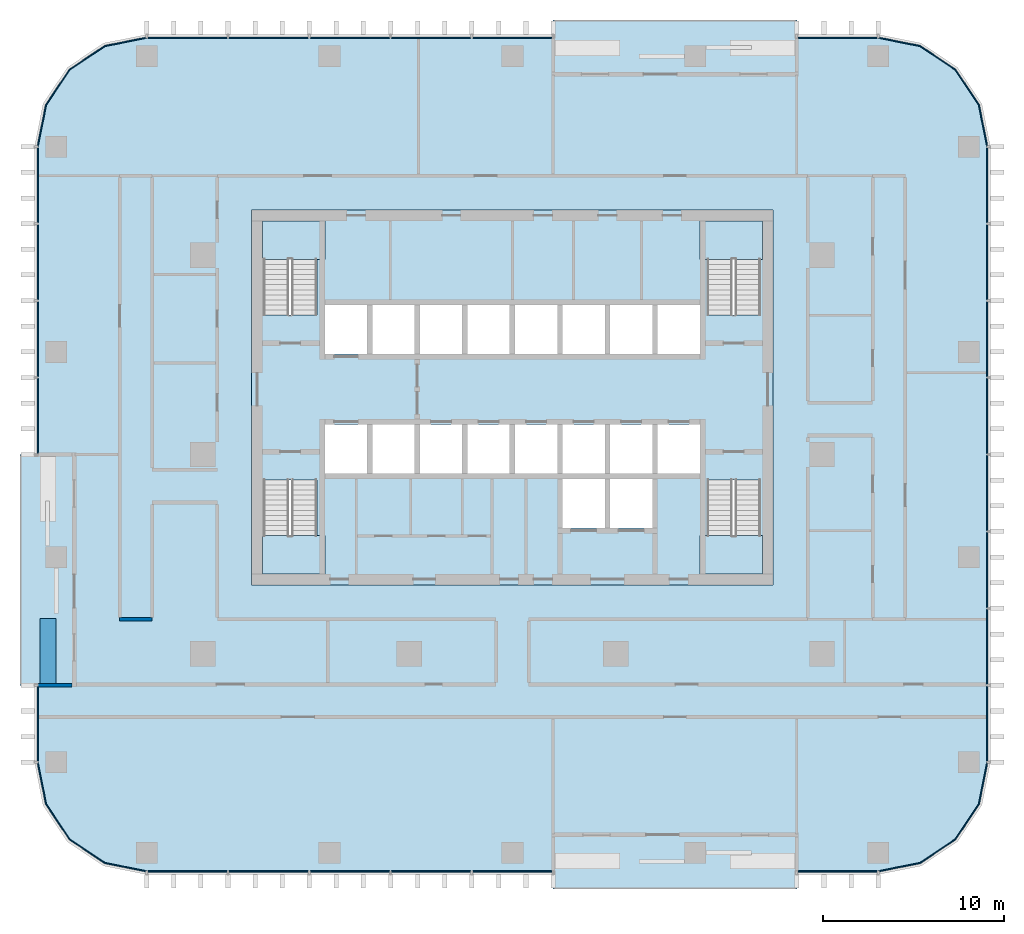
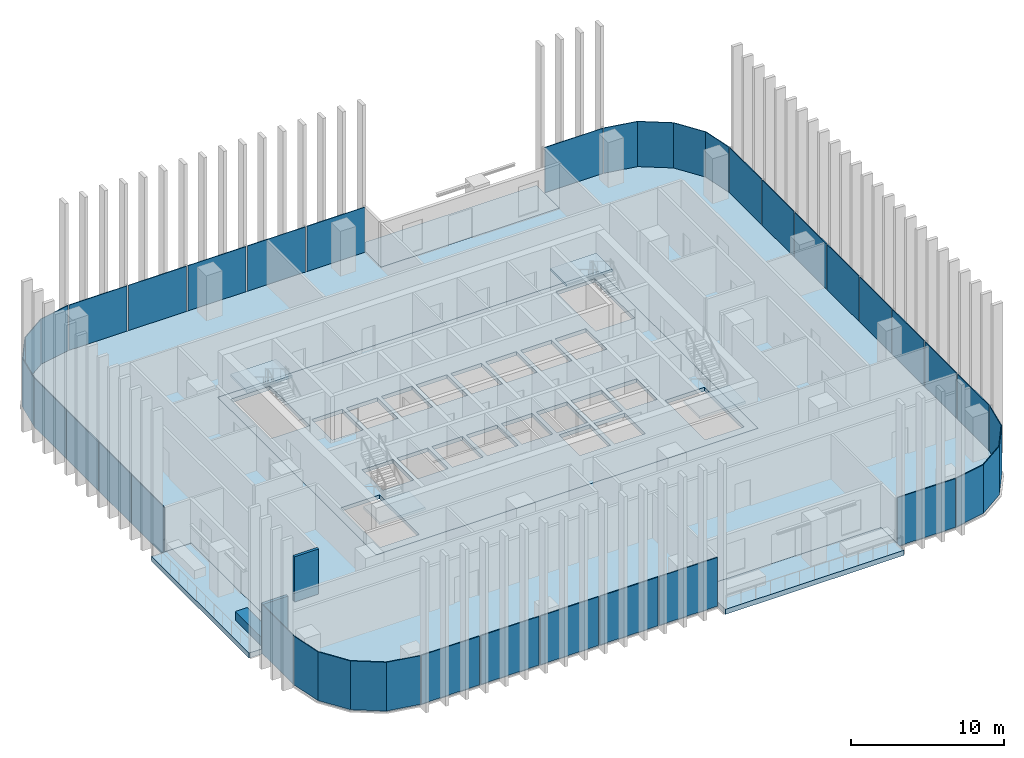
# One storey, part 6 of 16: 29 plates, 9 slabs, 3 walls, 15 elements without a shape of their own.
"""IFC4 building model written with IfcOpenShell, lengths in metres."""

from ifc_helpers import new_model, si_unit, direction, frame, frame_2d, origin, origin_2d, place, context, subcontext, project, spatial, polyline, rectangle, outline, extrude, material, layer, layer_set, type_object, element, aggregate, save


model = new_model("IFC4")

# Units and contexts
model_context = context("Model", 3, precision=1e-05, world=origin(), true_north=direction((0.0, 1.0)))
body_context = subcontext(model_context, "Body", "Model", "MODEL_VIEW")
ifc_project = project(units=[si_unit("LENGTHUNIT", "METRE"), si_unit("AREAUNIT", "SQUARE_METRE"), si_unit("VOLUMEUNIT", "CUBIC_METRE"), si_unit("PLANEANGLEUNIT", "RADIAN"), si_unit("MASSUNIT", "GRAM", prefix="KILO")], contexts=[model_context])

# Site, building, storey
site_placement = place(None, origin())
site = spatial("IfcSite", under=ifc_project, at=site_placement, CompositionType="ELEMENT")
building_placement = place(site_placement, origin())
building = spatial("IfcBuilding", under=site, at=building_placement, Name="Mopane Tessera Tower", CompositionType="ELEMENT")
storey_placement = place(building_placement, frame((0.0, 0.0, 181.0)))
storey = spatial("IfcBuildingStorey", under=building, at=storey_placement, Name="L37", CompositionType="ELEMENT", Elevation=181.0)

# Slab
ifc_material_1 = material(Name="Concrete C40/50", Category="concrete")
ifc_layer_1 = layer(ifc_material_1, 0.300048828125)
ifc_layer_set_1 = layer_set([ifc_layer_1], Name="Concrete C40/50")
slab_type_1 = type_object("IfcSlabType", Name="Core floor slab 300 mm", PredefinedType="FLOOR", material=ifc_layer_set_1)
slab_1_placement = place(storey_placement, frame((0.0, 0.0, -0.300048828125)))
element("IfcSlab", 1, at=slab_1_placement, inside=storey, type_object=slab_type_1, Name="L37 core floor slab", PredefinedType="FLOOR", context=body_context, shape_type="SweptSolid", body=[
    extrude(outline(polyline([(-14.39990234375, -7.199951171875), (14.39990234375, -7.199951171875), (14.39990234375, 13.5), (-14.39990234375, 13.5), (-14.39990234375, -7.199951171875)]), holes=[polyline([(-10.35009765625, -1.050048828125), (-8.02490234375, -1.050048828125), (-8.02490234375, 1.64990234375), (-10.35009765625, 1.64990234375), (-10.35009765625, -1.050048828125)]), polyline([(-7.72509765625, -1.050048828125), (-5.39990234375, -1.050048828125), (-5.39990234375, 1.64990234375), (-7.72509765625, 1.64990234375), (-7.72509765625, -1.050048828125)]), polyline([(-5.10009765625, -1.050048828125), (-2.77490234375, -1.050048828125), (-2.77490234375, 1.64990234375), (-5.10009765625, 1.64990234375), (-5.10009765625, -1.050048828125)]), polyline([(-2.47509765625, -1.050048828125), (-0.14990234375, -1.050048828125), (-0.14990234375, 1.64990234375), (-2.47509765625, 1.64990234375), (-2.47509765625, -1.050048828125)]), polyline([(0.14990234375, -1.050048828125), (2.47509765625, -1.050048828125), (2.47509765625, 1.64990234375), (0.14990234375, 1.64990234375), (0.14990234375, -1.050048828125)]), polyline([(2.77490234375, -1.050048828125), (5.10009765625, -1.050048828125), (5.10009765625, 1.64990234375), (2.77490234375, 1.64990234375), (2.77490234375, -1.050048828125)]), polyline([(5.39990234375, -1.050048828125), (7.72509765625, -1.050048828125), (7.72509765625, 1.64990234375), (5.39990234375, 1.64990234375), (5.39990234375, -1.050048828125)]), polyline([(8.02490234375, -1.050048828125), (10.35009765625, -1.050048828125), (10.35009765625, 1.64990234375), (8.02490234375, 1.64990234375), (8.02490234375, -1.050048828125)]), polyline([(-10.35009765625, 5.550048828125), (-8.02490234375, 5.550048828125), (-8.02490234375, 8.25), (-10.35009765625, 8.25), (-10.35009765625, 5.550048828125)]), polyline([(-7.72509765625, 5.550048828125), (-5.39990234375, 5.550048828125), (-5.39990234375, 8.25), (-7.72509765625, 8.25), (-7.72509765625, 5.550048828125)]), polyline([(-5.10009765625, 5.550048828125), (-2.77490234375, 5.550048828125), (-2.77490234375, 8.25), (-5.10009765625, 8.25), (-5.10009765625, 5.550048828125)]), polyline([(-2.47509765625, 5.550048828125), (-0.14990234375, 5.550048828125), (-0.14990234375, 8.25), (-2.47509765625, 8.25), (-2.47509765625, 5.550048828125)]), polyline([(0.14990234375, 5.550048828125), (2.47509765625, 5.550048828125), (2.47509765625, 8.25), (0.14990234375, 8.25), (0.14990234375, 5.550048828125)]), polyline([(2.77490234375, 5.550048828125), (5.10009765625, 5.550048828125), (5.10009765625, 8.25), (2.77490234375, 8.25), (2.77490234375, 5.550048828125)]), polyline([(5.39990234375, 5.550048828125), (7.72509765625, 5.550048828125), (7.72509765625, 8.25), (5.39990234375, 8.25), (5.39990234375, 5.550048828125)]), polyline([(8.02490234375, 5.550048828125), (10.35009765625, 5.550048828125), (10.35009765625, 8.25), (8.02490234375, 8.25), (8.02490234375, 5.550048828125)]), polyline([(2.77490234375, -4.050048828125), (5.10009765625, -4.050048828125), (5.10009765625, -1.35009765625), (2.77490234375, -1.35009765625), (2.77490234375, -4.050048828125)]), polyline([(5.39990234375, -4.050048828125), (7.72509765625, -4.050048828125), (7.72509765625, -1.35009765625), (5.39990234375, -1.35009765625), (5.39990234375, -4.050048828125)]), polyline([(-13.75, -1.405029296875), (-13.75, -6.60009765625), (-10.800048828125, -6.60009765625), (-10.800048828125, -1.405029296875), (-13.75, -1.405029296875)]), polyline([(-10.800048828125, 7.705078125), (-10.800048828125, 12.89990234375), (-13.75, 12.89990234375), (-13.75, 7.705078125), (-10.800048828125, 7.705078125)]), polyline([(10.75, -1.405029296875), (10.75, -6.60009765625), (13.699951171875, -6.60009765625), (13.699951171875, -1.405029296875), (10.75, -1.405029296875)]), polyline([(13.699951171875, 7.705078125), (13.699951171875, 12.89990234375), (10.75, 12.89990234375), (10.75, 7.705078125), (13.699951171875, 7.705078125)])]), origin(), (0.0, 0.0, 1.0), 0.300048828125),
])

# Stair, slab
ifc_material_2 = material(Name="Concrete C50/60", Category="concrete")
stair_type = type_object("IfcStairType", Name="Escape stair 1400 mm, riser 167 mm", PredefinedType="HALF_TURN_STAIR", material=ifc_material_2)
stair_1_placement = place(storey_placement, origin())
stair_1 = element("IfcStair", 2, at=stair_1_placement, inside=storey, type_object=stair_type, Name="L37 Escape stair south-west", PredefinedType="HALF_TURN_STAIR")
ifc_material_3 = material(Name="Concrete C50/60", Category="concrete")
ifc_layer_2 = layer(ifc_material_3, 0.199951171875)
ifc_layer_set_2 = layer_set([ifc_layer_2], Name="Concrete C50/60")
slab_type_2 = type_object("IfcSlabType", Name="Escape stair landing 200 mm", PredefinedType="LANDING", material=ifc_layer_set_2)
slab_2_placement = place(storey_placement, frame((0.0, 0.0, 1.800048828125)))
slab_2 = element("IfcSlab", 3, at=slab_2_placement, type_object=slab_type_2, Name="ST1 landing 1", PredefinedType="LANDING", context=body_context, shape_type="SweptSolid", body=[
    extrude(outline(polyline([(-13.800048828125, -4.47998046875), (-13.800048828125, -6.60009765625), (-10.35009765625, -6.60009765625), (-10.35009765625, -4.47998046875), (-13.800048828125, -4.47998046875)])), origin(), (0.0, 0.0, 1.0), 0.199951171875),
])
aggregate(stair_1, [slab_2])

stair_2_placement = place(storey_placement, origin())
stair_2 = element("IfcStair", 4, at=stair_2_placement, inside=storey, type_object=stair_type, Name="L37 Escape stair north-west", PredefinedType="HALF_TURN_STAIR")
slab_3_placement = place(storey_placement, frame((0.0, 0.0, 1.800048828125)))
slab_3 = element("IfcSlab", 5, at=slab_3_placement, type_object=slab_type_2, Name="ST2 landing 1", PredefinedType="LANDING", context=body_context, shape_type="SweptSolid", body=[
    extrude(outline(polyline([(-10.35009765625, 10.780029296875), (-10.35009765625, 12.89990234375), (-13.800048828125, 12.89990234375), (-13.800048828125, 10.780029296875), (-10.35009765625, 10.780029296875)])), origin(), (0.0, 0.0, 1.0), 0.199951171875),
])
aggregate(stair_2, [slab_3])

stair_3_placement = place(storey_placement, origin())
stair_3 = element("IfcStair", 6, at=stair_3_placement, inside=storey, type_object=stair_type, Name="L37 Escape stair south-east", PredefinedType="HALF_TURN_STAIR")
slab_4_placement = place(storey_placement, frame((0.0, 0.0, 1.800048828125)))
slab_4 = element("IfcSlab", 7, at=slab_4_placement, type_object=slab_type_2, Name="ST3 landing 1", PredefinedType="LANDING", context=body_context, shape_type="SweptSolid", body=[
    extrude(outline(polyline([(10.35009765625, -4.47998046875), (10.35009765625, -6.60009765625), (13.800048828125, -6.60009765625), (13.800048828125, -4.47998046875), (10.35009765625, -4.47998046875)])), origin(), (0.0, 0.0, 1.0), 0.199951171875),
])
aggregate(stair_3, [slab_4])

stair_4_placement = place(storey_placement, origin())
stair_4 = element("IfcStair", 8, at=stair_4_placement, inside=storey, type_object=stair_type, Name="L37 Escape stair north-east", PredefinedType="HALF_TURN_STAIR")
slab_5_placement = place(storey_placement, frame((0.0, 0.0, 1.800048828125)))
slab_5 = element("IfcSlab", 9, at=slab_5_placement, type_object=slab_type_2, Name="ST4 landing 1", PredefinedType="LANDING", context=body_context, shape_type="SweptSolid", body=[
    extrude(outline(polyline([(13.800048828125, 10.780029296875), (13.800048828125, 12.89990234375), (10.35009765625, 12.89990234375), (10.35009765625, 10.780029296875), (13.800048828125, 10.780029296875)])), origin(), (0.0, 0.0, 1.0), 0.199951171875),
])
aggregate(stair_4, [slab_5])

# Slabs
ifc_material_4 = material(Name="Concrete C40/50", Category="concrete")
ifc_layer_3 = layer(ifc_material_4, 0.39990234375)
ifc_layer_set_3 = layer_set([ifc_layer_3], Name="Concrete C40/50")
slab_type_3 = type_object("IfcSlabType", Name="Planted terrace slab 400 mm", PredefinedType="FLOOR", material=ifc_layer_set_3)
slab_6_placement = place(storey_placement, frame((0.0, 0.0, -0.39990234375)))
element("IfcSlab", 10, at=slab_6_placement, inside=storey, type_object=slab_type_3, Name="Terrace slab N1 L37", PredefinedType="FLOOR", context=body_context, shape_type="SweptSolid", body=[
    extrude(outline(polyline([(-27.199951171875, -12.75), (-24.199951171875, -12.75), (-24.199951171875, 0.0), (-27.199951171875, 0.0), (-27.199951171875, -12.75)])), origin(), (0.0, 0.0, 1.0), 0.39990234375),
])
slab_7_placement = place(storey_placement, frame((0.0, 0.0, -0.39990234375)))
element("IfcSlab", 11, at=slab_7_placement, inside=storey, type_object=slab_type_3, Name="Terrace slab N2 L37", PredefinedType="FLOOR", context=body_context, shape_type="SweptSolid", body=[
    extrude(outline(polyline([(15.711181640625, -24.0), (15.711181640625, -21.0), (2.244384765625, -21.0), (2.244384765625, -24.0), (15.711181640625, -24.0)])), origin(), (0.0, 0.0, 1.0), 0.39990234375),
])
slab_8_placement = place(storey_placement, frame((0.0, 0.0, -0.39990234375)))
element("IfcSlab", 12, at=slab_8_placement, inside=storey, type_object=slab_type_3, Name="Terrace slab N3 L37", PredefinedType="FLOOR", context=body_context, shape_type="SweptSolid", body=[
    extrude(outline(polyline([(2.244384765625, 24.0), (2.244384765625, 21.0), (15.711181640625, 21.0), (15.711181640625, 24.0), (2.244384765625, 24.0)])), origin(), (0.0, 0.0, 1.0), 0.39990234375),
])
ifc_material_5 = material(Name="Concrete C40/50", Category="concrete")
ifc_layer_4 = layer(ifc_material_5, 0.39990234375)
ifc_layer_set_4 = layer_set([ifc_layer_4], Name="Concrete C40/50")
slab_type_4 = type_object("IfcSlabType", Name="Post-tensioned flat plate 400 mm", PredefinedType="FLOOR", material=ifc_layer_set_4)
slab_9_placement = place(storey_placement, frame((0.0, 0.0, -0.39990234375)))
element("IfcSlab", 13, at=slab_9_placement, inside=storey, type_object=slab_type_4, Name="Floor slab L37", PredefinedType="FLOOR", context=body_context, shape_type="SweptSolid", body=[
    extrude(outline(polyline([(-20.199951171875, -23.0), (2.244384765625, -23.0), (2.244384765625, -21.0), (15.711181640625, -21.0), (15.711181640625, -23.0), (20.199951171875, -23.0), (22.49609375, -22.543212890625), (24.442626953125, -21.24267578125), (25.7431640625, -19.296142578125), (26.199951171875, -17.0), (26.199951171875, 17.0), (25.7431640625, 19.296142578125), (24.442626953125, 21.24267578125), (22.49609375, 22.543212890625), (20.199951171875, 23.0), (15.711181640625, 23.0), (15.711181640625, 21.0), (2.244384765625, 21.0), (2.244384765625, 23.0), (-20.199951171875, 23.0), (-22.49609375, 22.543212890625), (-24.442626953125, 21.24267578125), (-25.7431640625, 19.296142578125), (-26.199951171875, 17.0), (-26.199951171875, 0.0), (-24.199951171875, 0.0), (-24.199951171875, -12.75), (-26.199951171875, -12.75), (-26.199951171875, -17.0), (-25.7431640625, -19.296142578125), (-24.442626953125, -21.24267578125), (-22.49609375, -22.543212890625), (-20.199951171875, -23.0)]), holes=[polyline([(14.39990234375, -7.199951171875), (-14.39990234375, -7.199951171875), (-14.39990234375, 13.5), (14.39990234375, 13.5), (14.39990234375, -7.199951171875)])]), origin(), (0.0, 0.0, 1.0), 0.39990234375),
])

# Curtain wall, plates
ifc_material_6 = material(Name="Aluminium frame", Category="aluminium")
curtain_wall_type = type_object("IfcCurtainWallType", Name="Unitised curtain wall", PredefinedType="NOTDEFINED", material=ifc_material_6)
curtain_wall_1_placement = place(storey_placement, origin())
curtain_wall_1 = element("IfcCurtainWall", 14, at=curtain_wall_1_placement, inside=storey, type_object=curtain_wall_type, Name="e:cw:L37:S:0", PredefinedType="NOTDEFINED")
ifc_material_7 = material(Name="Clear laminated glass", Category="glass")
ifc_layer_5 = layer(ifc_material_7, 0.06005859375)
ifc_layer_set_5 = layer_set([ifc_layer_5], Name="Clear laminated glass")
plate_type = type_object("IfcPlateType", Name="Unitised glazed unit", PredefinedType="CURTAIN_PANEL", material=ifc_layer_set_5)
plate_1_placement = place(storey_placement, frame((-17.95556640625, -23.030029296875, -0.280029296875), z_axis=(0.0, 0.0, 1.0), x_axis=(1.0, 0.0, 0.0)))
plate_1 = element("IfcPlate", 15, at=plate_1_placement, type_object=plate_type, Name="e:cw:L37:S:0:pn0", PredefinedType="CURTAIN_PANEL", context=body_context, shape_type="SweptSolid", body=[
    extrude(rectangle(XDim=4.388916015625, YDim=0.06005859375, at=origin_2d()), origin(), (0.0, 0.0, 1.0), 3.8798828125),
])
plate_2_placement = place(storey_placement, frame((-13.466552734375, -23.030029296875, -0.280029296875), z_axis=(0.0, 0.0, 1.0), x_axis=(1.0, 0.0, 0.0)))
plate_2 = element("IfcPlate", 16, at=plate_2_placement, type_object=plate_type, Name="e:cw:L37:S:0:pn1", PredefinedType="CURTAIN_PANEL", context=body_context, shape_type="SweptSolid", body=[
    extrude(rectangle(XDim=4.388916015625, YDim=0.06005859375, at=origin_2d()), origin(), (0.0, 0.0, 1.0), 3.8798828125),
])
plate_3_placement = place(storey_placement, frame((-8.977783203125, -23.030029296875, -0.280029296875), z_axis=(0.0, 0.0, 1.0), x_axis=(1.0, 0.0, 0.0)))
plate_3 = element("IfcPlate", 17, at=plate_3_placement, type_object=plate_type, Name="e:cw:L37:S:0:pn2", PredefinedType="CURTAIN_PANEL", context=body_context, shape_type="SweptSolid", body=[
    extrude(rectangle(XDim=4.388916015625, YDim=0.06005859375, at=origin_2d()), origin(), (0.0, 0.0, 1.0), 3.8798828125),
])
plate_4_placement = place(storey_placement, frame((-4.48876953125, -23.030029296875, -0.280029296875), z_axis=(0.0, 0.0, 1.0), x_axis=(1.0, 0.0, 0.0)))
plate_4 = element("IfcPlate", 18, at=plate_4_placement, type_object=plate_type, Name="e:cw:L37:S:0:pn3", PredefinedType="CURTAIN_PANEL", context=body_context, shape_type="SweptSolid", body=[
    extrude(rectangle(XDim=4.388916015625, YDim=0.06005859375, at=origin_2d()), origin(), (0.0, 0.0, 1.0), 3.8798828125),
])
plate_5_placement = place(storey_placement, frame((0.0, -23.030029296875, -0.280029296875), z_axis=(0.0, 0.0, 1.0), x_axis=(1.0, 0.0, 0.0)))
plate_5 = element("IfcPlate", 19, at=plate_5_placement, type_object=plate_type, Name="e:cw:L37:S:0:pn4", PredefinedType="CURTAIN_PANEL", context=body_context, shape_type="SweptSolid", body=[
    extrude(rectangle(XDim=4.388916015625, YDim=0.06005859375, at=origin_2d()), origin(), (0.0, 0.0, 1.0), 3.8798828125),
])
aggregate(curtain_wall_1, [plate_1, plate_2, plate_3, plate_4, plate_5])

# Curtain wall, plate
curtain_wall_2_placement = place(storey_placement, origin())
curtain_wall_2 = element("IfcCurtainWall", 20, at=curtain_wall_2_placement, inside=storey, type_object=curtain_wall_type, Name="e:cw:L37:S:8", PredefinedType="NOTDEFINED")
plate_6_placement = place(storey_placement, frame((17.95556640625, -23.030029296875, -0.280029296875), z_axis=(0.0, 0.0, 1.0), x_axis=(1.0, 0.0, 0.0)))
plate_6 = element("IfcPlate", 21, at=plate_6_placement, type_object=plate_type, Name="e:cw:L37:S:8:pn8", PredefinedType="CURTAIN_PANEL", context=body_context, shape_type="SweptSolid", body=[
    extrude(rectangle(XDim=4.388916015625, YDim=0.06005859375, at=origin_2d()), origin(), (0.0, 0.0, 1.0), 3.8798828125),
])
aggregate(curtain_wall_2, [plate_6])

curtain_wall_3_placement = place(storey_placement, origin())
curtain_wall_3 = element("IfcCurtainWall", 22, at=curtain_wall_3_placement, inside=storey, type_object=curtain_wall_type, Name="e:cw:L37:CS", PredefinedType="NOTDEFINED")
plate_7_placement = place(storey_placement, frame((0.0, 0.0, -0.280029296875)))
plate_7 = element("IfcPlate", 23, at=plate_7_placement, type_object=plate_type, Name="e:cw:L37:CS:pn", PredefinedType="CURTAIN_PANEL", context=body_context, shape_type="SweptSolid", body=[
    extrude(outline(polyline([(20.199951171875, -23.0), (22.49609375, -22.543212890625), (24.442626953125, -21.24267578125), (25.7431640625, -19.296142578125), (26.199951171875, -17.0), (26.260009765625, -17.0), (25.798828125, -19.319091796875), (24.485107421875, -21.28515625), (22.51904296875, -22.5986328125), (20.199951171875, -23.06005859375), (20.199951171875, -23.0)])), origin(), (0.0, 0.0, 1.0), 3.880126953125),
])
aggregate(curtain_wall_3, [plate_7])

# Curtain wall, plates
curtain_wall_4_placement = place(storey_placement, origin())
curtain_wall_4 = element("IfcCurtainWall", 24, at=curtain_wall_4_placement, inside=storey, type_object=curtain_wall_type, Name="e:cw:L37:E:0", PredefinedType="NOTDEFINED")
plate_8_placement = place(storey_placement, frame((26.22998046875, -14.875, -0.280029296875), z_axis=(0.0, 0.0, 1.0), x_axis=(0.0, 1.0, 0.0)))
plate_8 = element("IfcPlate", 25, at=plate_8_placement, type_object=plate_type, Name="e:cw:L37:E:0:pn0", PredefinedType="CURTAIN_PANEL", context=body_context, shape_type="SweptSolid", body=[
    extrude(rectangle(XDim=4.14990234375, YDim=0.06005859375, at=origin_2d()), origin(), (0.0, 0.0, 1.0), 3.8798828125),
])
plate_9_placement = place(storey_placement, frame((26.22998046875, -10.625, -0.280029296875), z_axis=(0.0, 0.0, 1.0), x_axis=(0.0, 1.0, 0.0)))
plate_9 = element("IfcPlate", 26, at=plate_9_placement, type_object=plate_type, Name="e:cw:L37:E:0:pn1", PredefinedType="CURTAIN_PANEL", context=body_context, shape_type="SweptSolid", body=[
    extrude(rectangle(XDim=4.14990234375, YDim=0.06005859375, at=origin_2d()), origin(), (0.0, 0.0, 1.0), 3.8798828125),
])
plate_10_placement = place(storey_placement, frame((26.22998046875, -6.375, -0.280029296875), z_axis=(0.0, 0.0, 1.0), x_axis=(0.0, 1.0, 0.0)))
plate_10 = element("IfcPlate", 27, at=plate_10_placement, type_object=plate_type, Name="e:cw:L37:E:0:pn2", PredefinedType="CURTAIN_PANEL", context=body_context, shape_type="SweptSolid", body=[
    extrude(rectangle(XDim=4.14990234375, YDim=0.06005859375, at=origin_2d()), origin(), (0.0, 0.0, 1.0), 3.8798828125),
])
plate_11_placement = place(storey_placement, frame((26.22998046875, -2.125, -0.280029296875), z_axis=(0.0, 0.0, 1.0), x_axis=(0.0, 1.0, 0.0)))
plate_11 = element("IfcPlate", 28, at=plate_11_placement, type_object=plate_type, Name="e:cw:L37:E:0:pn3", PredefinedType="CURTAIN_PANEL", context=body_context, shape_type="SweptSolid", body=[
    extrude(rectangle(XDim=4.14990234375, YDim=0.06005859375, at=origin_2d()), origin(), (0.0, 0.0, 1.0), 3.8798828125),
])
plate_12_placement = place(storey_placement, frame((26.22998046875, 2.125, -0.280029296875), z_axis=(0.0, 0.0, 1.0), x_axis=(0.0, 1.0, 0.0)))
plate_12 = element("IfcPlate", 29, at=plate_12_placement, type_object=plate_type, Name="e:cw:L37:E:0:pn4", PredefinedType="CURTAIN_PANEL", context=body_context, shape_type="SweptSolid", body=[
    extrude(rectangle(XDim=4.14990234375, YDim=0.06005859375, at=origin_2d()), origin(), (0.0, 0.0, 1.0), 3.8798828125),
])
plate_13_placement = place(storey_placement, frame((26.22998046875, 6.375, -0.280029296875), z_axis=(0.0, 0.0, 1.0), x_axis=(0.0, 1.0, 0.0)))
plate_13 = element("IfcPlate", 30, at=plate_13_placement, type_object=plate_type, Name="e:cw:L37:E:0:pn5", PredefinedType="CURTAIN_PANEL", context=body_context, shape_type="SweptSolid", body=[
    extrude(rectangle(XDim=4.14990234375, YDim=0.06005859375, at=origin_2d()), origin(), (0.0, 0.0, 1.0), 3.8798828125),
])
plate_14_placement = place(storey_placement, frame((26.22998046875, 10.625, -0.280029296875), z_axis=(0.0, 0.0, 1.0), x_axis=(0.0, 1.0, 0.0)))
plate_14 = element("IfcPlate", 31, at=plate_14_placement, type_object=plate_type, Name="e:cw:L37:E:0:pn6", PredefinedType="CURTAIN_PANEL", context=body_context, shape_type="SweptSolid", body=[
    extrude(rectangle(XDim=4.14990234375, YDim=0.06005859375, at=origin_2d()), origin(), (0.0, 0.0, 1.0), 3.8798828125),
])
plate_15_placement = place(storey_placement, frame((26.22998046875, 14.875, -0.280029296875), z_axis=(0.0, 0.0, 1.0), x_axis=(0.0, 1.0, 0.0)))
plate_15 = element("IfcPlate", 32, at=plate_15_placement, type_object=plate_type, Name="e:cw:L37:E:0:pn7", PredefinedType="CURTAIN_PANEL", context=body_context, shape_type="SweptSolid", body=[
    extrude(rectangle(XDim=4.14990234375, YDim=0.06005859375, at=origin_2d()), origin(), (0.0, 0.0, 1.0), 3.8798828125),
])
aggregate(curtain_wall_4, [plate_8, plate_9, plate_10, plate_11, plate_12, plate_13, plate_14, plate_15])

# Curtain wall, plate
curtain_wall_5_placement = place(storey_placement, origin())
curtain_wall_5 = element("IfcCurtainWall", 33, at=curtain_wall_5_placement, inside=storey, type_object=curtain_wall_type, Name="e:cw:L37:CE", PredefinedType="NOTDEFINED")
plate_16_placement = place(storey_placement, frame((0.0, 0.0, -0.280029296875)))
plate_16 = element("IfcPlate", 34, at=plate_16_placement, type_object=plate_type, Name="e:cw:L37:CE:pn", PredefinedType="CURTAIN_PANEL", context=body_context, shape_type="SweptSolid", body=[
    extrude(outline(polyline([(26.199951171875, 17.0), (25.7431640625, 19.296142578125), (24.442626953125, 21.24267578125), (22.49609375, 22.543212890625), (20.199951171875, 23.0), (20.199951171875, 23.06005859375), (22.51904296875, 22.5986328125), (24.485107421875, 21.28515625), (25.798828125, 19.319091796875), (26.260009765625, 17.0), (26.199951171875, 17.0)])), origin(), (0.0, 0.0, 1.0), 3.880126953125),
])
aggregate(curtain_wall_5, [plate_16])

curtain_wall_6_placement = place(storey_placement, origin())
curtain_wall_6 = element("IfcCurtainWall", 35, at=curtain_wall_6_placement, inside=storey, type_object=curtain_wall_type, Name="e:cw:L37:N:0", PredefinedType="NOTDEFINED")
plate_17_placement = place(storey_placement, frame((17.95556640625, 23.030029296875, -0.280029296875), z_axis=(0.0, 0.0, 1.0), x_axis=(-1.0, 0.0, 0.0)))
plate_17 = element("IfcPlate", 36, at=plate_17_placement, type_object=plate_type, Name="e:cw:L37:N:0:pn0", PredefinedType="CURTAIN_PANEL", context=body_context, shape_type="SweptSolid", body=[
    extrude(rectangle(XDim=4.388916015625, YDim=0.06005859375, at=origin_2d()), origin(), (0.0, 0.0, 1.0), 3.8798828125),
])
aggregate(curtain_wall_6, [plate_17])

# Curtain wall, plates
curtain_wall_7_placement = place(storey_placement, origin())
curtain_wall_7 = element("IfcCurtainWall", 37, at=curtain_wall_7_placement, inside=storey, type_object=curtain_wall_type, Name="e:cw:L37:N:4", PredefinedType="NOTDEFINED")
plate_18_placement = place(storey_placement, frame((0.0, 23.030029296875, -0.280029296875), z_axis=(0.0, 0.0, 1.0), x_axis=(-1.0, 0.0, 0.0)))
plate_18 = element("IfcPlate", 38, at=plate_18_placement, type_object=plate_type, Name="e:cw:L37:N:4:pn4", PredefinedType="CURTAIN_PANEL", context=body_context, shape_type="SweptSolid", body=[
    extrude(rectangle(XDim=4.388916015625, YDim=0.06005859375, at=origin_2d()), origin(), (0.0, 0.0, 1.0), 3.8798828125),
])
plate_19_placement = place(storey_placement, frame((-4.48876953125, 23.030029296875, -0.280029296875), z_axis=(0.0, 0.0, 1.0), x_axis=(-1.0, 0.0, 0.0)))
plate_19 = element("IfcPlate", 39, at=plate_19_placement, type_object=plate_type, Name="e:cw:L37:N:4:pn5", PredefinedType="CURTAIN_PANEL", context=body_context, shape_type="SweptSolid", body=[
    extrude(rectangle(XDim=4.388916015625, YDim=0.06005859375, at=origin_2d()), origin(), (0.0, 0.0, 1.0), 3.8798828125),
])
plate_20_placement = place(storey_placement, frame((-8.977783203125, 23.030029296875, -0.280029296875), z_axis=(0.0, 0.0, 1.0), x_axis=(-1.0, 0.0, 0.0)))
plate_20 = element("IfcPlate", 40, at=plate_20_placement, type_object=plate_type, Name="e:cw:L37:N:4:pn6", PredefinedType="CURTAIN_PANEL", context=body_context, shape_type="SweptSolid", body=[
    extrude(rectangle(XDim=4.388916015625, YDim=0.06005859375, at=origin_2d()), origin(), (0.0, 0.0, 1.0), 3.8798828125),
])
plate_21_placement = place(storey_placement, frame((-13.466552734375, 23.030029296875, -0.280029296875), z_axis=(0.0, 0.0, 1.0), x_axis=(-1.0, 0.0, 0.0)))
plate_21 = element("IfcPlate", 41, at=plate_21_placement, type_object=plate_type, Name="e:cw:L37:N:4:pn7", PredefinedType="CURTAIN_PANEL", context=body_context, shape_type="SweptSolid", body=[
    extrude(rectangle(XDim=4.388916015625, YDim=0.06005859375, at=origin_2d()), origin(), (0.0, 0.0, 1.0), 3.8798828125),
])
plate_22_placement = place(storey_placement, frame((-17.95556640625, 23.030029296875, -0.280029296875), z_axis=(0.0, 0.0, 1.0), x_axis=(-1.0, 0.0, 0.0)))
plate_22 = element("IfcPlate", 42, at=plate_22_placement, type_object=plate_type, Name="e:cw:L37:N:4:pn8", PredefinedType="CURTAIN_PANEL", context=body_context, shape_type="SweptSolid", body=[
    extrude(rectangle(XDim=4.388916015625, YDim=0.06005859375, at=origin_2d()), origin(), (0.0, 0.0, 1.0), 3.8798828125),
])
aggregate(curtain_wall_7, [plate_18, plate_19, plate_20, plate_21, plate_22])

# Curtain wall, plate
curtain_wall_8_placement = place(storey_placement, origin())
curtain_wall_8 = element("IfcCurtainWall", 43, at=curtain_wall_8_placement, inside=storey, type_object=curtain_wall_type, Name="e:cw:L37:CN", PredefinedType="NOTDEFINED")
plate_23_placement = place(storey_placement, frame((0.0, 0.0, -0.280029296875)))
plate_23 = element("IfcPlate", 44, at=plate_23_placement, type_object=plate_type, Name="e:cw:L37:CN:pn", PredefinedType="CURTAIN_PANEL", context=body_context, shape_type="SweptSolid", body=[
    extrude(outline(polyline([(-20.199951171875, 23.0), (-22.49609375, 22.543212890625), (-24.442626953125, 21.24267578125), (-25.7431640625, 19.296142578125), (-26.199951171875, 17.0), (-26.260009765625, 17.0), (-25.798828125, 19.319091796875), (-24.485107421875, 21.28515625), (-22.51904296875, 22.5986328125), (-20.199951171875, 23.06005859375), (-20.199951171875, 23.0)])), origin(), (0.0, 0.0, 1.0), 3.880126953125),
])
aggregate(curtain_wall_8, [plate_23])

# Curtain wall, plates
curtain_wall_9_placement = place(storey_placement, origin())
curtain_wall_9 = element("IfcCurtainWall", 45, at=curtain_wall_9_placement, inside=storey, type_object=curtain_wall_type, Name="e:cw:L37:W:0", PredefinedType="NOTDEFINED")
plate_24_placement = place(storey_placement, frame((-26.22998046875, 14.875, -0.280029296875), z_axis=(0.0, 0.0, 1.0), x_axis=(0.0, -1.0, 0.0)))
plate_24 = element("IfcPlate", 46, at=plate_24_placement, type_object=plate_type, Name="e:cw:L37:W:0:pn0", PredefinedType="CURTAIN_PANEL", context=body_context, shape_type="SweptSolid", body=[
    extrude(rectangle(XDim=4.14990234375, YDim=0.06005859375, at=origin_2d()), origin(), (0.0, 0.0, 1.0), 3.8798828125),
])
plate_25_placement = place(storey_placement, frame((-26.22998046875, 10.625, -0.280029296875), z_axis=(0.0, 0.0, 1.0), x_axis=(0.0, -1.0, 0.0)))
plate_25 = element("IfcPlate", 47, at=plate_25_placement, type_object=plate_type, Name="e:cw:L37:W:0:pn1", PredefinedType="CURTAIN_PANEL", context=body_context, shape_type="SweptSolid", body=[
    extrude(rectangle(XDim=4.14990234375, YDim=0.06005859375, at=origin_2d()), origin(), (0.0, 0.0, 1.0), 3.8798828125),
])
plate_26_placement = place(storey_placement, frame((-26.22998046875, 6.375, -0.280029296875), z_axis=(0.0, 0.0, 1.0), x_axis=(0.0, -1.0, 0.0)))
plate_26 = element("IfcPlate", 48, at=plate_26_placement, type_object=plate_type, Name="e:cw:L37:W:0:pn2", PredefinedType="CURTAIN_PANEL", context=body_context, shape_type="SweptSolid", body=[
    extrude(rectangle(XDim=4.14990234375, YDim=0.06005859375, at=origin_2d()), origin(), (0.0, 0.0, 1.0), 3.8798828125),
])
plate_27_placement = place(storey_placement, frame((-26.22998046875, 2.125, -0.280029296875), z_axis=(0.0, 0.0, 1.0), x_axis=(0.0, -1.0, 0.0)))
plate_27 = element("IfcPlate", 49, at=plate_27_placement, type_object=plate_type, Name="e:cw:L37:W:0:pn3", PredefinedType="CURTAIN_PANEL", context=body_context, shape_type="SweptSolid", body=[
    extrude(rectangle(XDim=4.14990234375, YDim=0.06005859375, at=origin_2d()), origin(), (0.0, 0.0, 1.0), 3.8798828125),
])
aggregate(curtain_wall_9, [plate_24, plate_25, plate_26, plate_27])

# Curtain wall, plate
curtain_wall_10_placement = place(storey_placement, origin())
curtain_wall_10 = element("IfcCurtainWall", 50, at=curtain_wall_10_placement, inside=storey, type_object=curtain_wall_type, Name="e:cw:L37:W:7", PredefinedType="NOTDEFINED")
plate_28_placement = place(storey_placement, frame((-26.22998046875, -14.875, -0.280029296875), z_axis=(0.0, 0.0, 1.0), x_axis=(0.0, -1.0, 0.0)))
plate_28 = element("IfcPlate", 51, at=plate_28_placement, type_object=plate_type, Name="e:cw:L37:W:7:pn7", PredefinedType="CURTAIN_PANEL", context=body_context, shape_type="SweptSolid", body=[
    extrude(rectangle(XDim=4.14990234375, YDim=0.06005859375, at=origin_2d()), origin(), (0.0, 0.0, 1.0), 3.8798828125),
])
aggregate(curtain_wall_10, [plate_28])

curtain_wall_11_placement = place(storey_placement, origin())
curtain_wall_11 = element("IfcCurtainWall", 52, at=curtain_wall_11_placement, inside=storey, type_object=curtain_wall_type, Name="e:cw:L37:CW", PredefinedType="NOTDEFINED")
plate_29_placement = place(storey_placement, frame((0.0, 0.0, -0.280029296875)))
plate_29 = element("IfcPlate", 53, at=plate_29_placement, type_object=plate_type, Name="e:cw:L37:CW:pn", PredefinedType="CURTAIN_PANEL", context=body_context, shape_type="SweptSolid", body=[
    extrude(outline(polyline([(-26.199951171875, -17.0), (-25.7431640625, -19.296142578125), (-24.442626953125, -21.24267578125), (-22.49609375, -22.543212890625), (-20.199951171875, -23.0), (-20.199951171875, -23.06005859375), (-22.51904296875, -22.5986328125), (-24.485107421875, -21.28515625), (-25.798828125, -19.319091796875), (-26.260009765625, -17.0), (-26.199951171875, -17.0)])), origin(), (0.0, 0.0, 1.0), 3.880126953125),
])
aggregate(curtain_wall_11, [plate_29])

# Walls
ifc_material_8 = material(Name="Gypsum board on steel studs, two layers each face, mineral wool infill", Category="steel")
ifc_layer_6 = layer(ifc_material_8, 0.199951171875)
ifc_layer_set_6 = layer_set([ifc_layer_6], Name="Gypsum board on steel studs, two layers each face, mineral wool infill")
wall_type_1 = type_object("IfcWallType", Name="Gypsum board corridor wall 200, rated EI 60", PredefinedType="PARTITIONING", material=ifc_layer_set_6)
wall_1_placement = place(storey_placement, frame((-21.699951171875, -9.10009765625, 0.0), z_axis=(0.0, 0.0, 1.0), x_axis=(1.0, 0.0, 0.0)))
element("IfcWall", 54, at=wall_1_placement, inside=storey, type_object=wall_type_1, Name="Partition L37:005", PredefinedType="PARTITIONING", context=body_context, shape_type="SweptSolid", body=[
    extrude(rectangle(XDim=1.800048828125, YDim=0.199951171875, at=frame_2d((0.89990234375, 0.0))), origin(), (0.0, 0.0, 1.0), 3.60009765625),
])
ifc_material_9 = material(Name="Reinforced concrete C32/40 with waterproofing", Category="concrete")
ifc_layer_7 = layer(ifc_material_9, 0.89990234375)
ifc_layer_set_7 = layer_set([ifc_layer_7], Name="Reinforced concrete C32/40 with waterproofing")
wall_type_2 = type_object("IfcWallType", Name="Planter trough 3600 x 900", PredefinedType="STANDARD", material=ifc_layer_set_7)
wall_2_placement = place(storey_placement, frame((-25.64990234375, -9.050048828125, 0.0), z_axis=(0.0, 0.0, 1.0), x_axis=(0.0, -1.0, 0.0)))
element("IfcWall", 55, at=wall_2_placement, inside=storey, type_object=wall_type_2, Name="e:nw:L37:N1:pl1", PredefinedType="STANDARD", context=body_context, shape_type="SweptSolid", body=[
    extrude(rectangle(XDim=3.599853515625, YDim=0.89990234375, at=frame_2d((1.7998046875, 0.0))), origin(), (0.0, 0.0, 1.0), 0.699951171875),
])
ifc_material_10 = material(Name="Blockwork with glazed tile facing", Category="masonry")
ifc_layer_8 = layer(ifc_material_10, 0.199951171875)
ifc_layer_set_8 = layer_set([ifc_layer_8], Name="Blockwork with glazed tile facing")
wall_type_3 = type_object("IfcWallType", Name="Terrace cheek wall 200", PredefinedType="STANDARD", material=ifc_layer_set_8)
wall_3_placement = place(storey_placement, frame((-26.199951171875, -12.75, 0.0), z_axis=(0.0, 0.0, 1.0), x_axis=(1.0, 0.0, 0.0)))
element("IfcWall", 56, at=wall_3_placement, inside=storey, type_object=wall_type_3, Name="e:nw:L37:N1:cheekb", PredefinedType="STANDARD", context=body_context, shape_type="SweptSolid", body=[
    extrude(rectangle(XDim=1.875, YDim=0.199951171875, at=frame_2d((0.9375, 0.0))), origin(), (0.0, 0.0, 1.0), 3.60009765625),
])

save(model, "model.ifc")
